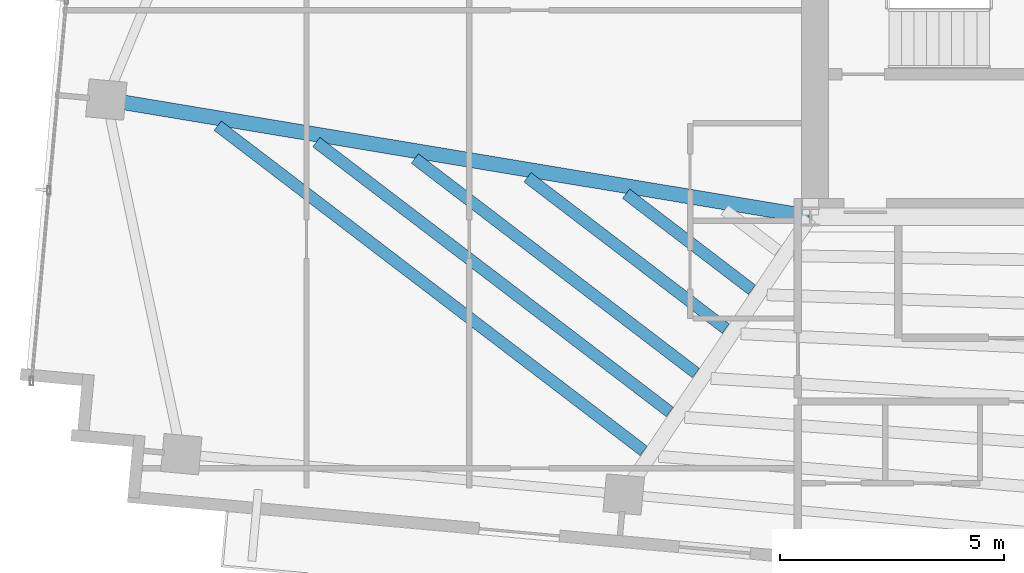
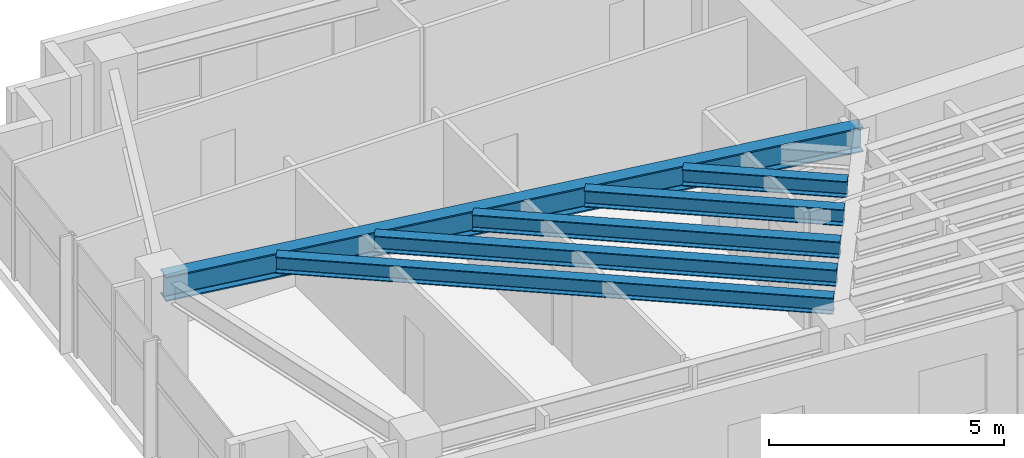
# One storey, part 5 of 22: 6 beams.
"""IFC4 building model written with IfcOpenShell, lengths in metres."""

from ifc_helpers import new_model, si_unit, direction, frame, origin, origin_2d, place, context, subcontext, project, spatial, i_section, extrude, source, transform, mapped, material, material_profile, profile_set, type_object, type_shapes, element, save


model = new_model("IFC4")

# Units and contexts
model_context = context("Model", 3, precision=1e-05, world=origin(), true_north=direction((0.0, 1.0)))
body_context = subcontext(model_context, "Body", "Model", "MODEL_VIEW")
ifc_project = project(units=[si_unit("LENGTHUNIT", "METRE"), si_unit("AREAUNIT", "SQUARE_METRE"), si_unit("VOLUMEUNIT", "CUBIC_METRE"), si_unit("PLANEANGLEUNIT", "RADIAN"), si_unit("MASSUNIT", "GRAM", prefix="KILO")], contexts=[model_context])

# Site, building, storey
site_placement = place(None, origin())
site = spatial("IfcSite", under=ifc_project, at=site_placement, CompositionType="ELEMENT")
building_placement = place(site_placement, origin())
building = spatial("IfcBuilding", under=site, at=building_placement, Name="Astriad Promenade Condominiums", CompositionType="ELEMENT")
storey_placement = place(building_placement, frame((0.0, 0.0, 236.39990234375)))
storey = spatial("IfcBuildingStorey", under=building, at=storey_placement, Name="L68", CompositionType="ELEMENT", Elevation=236.39990234375)

# Beams
ifc_material = material(Name="Steel ASTM A992 Grade 50", Category="steel")
ifc_material_profile_1 = material_profile(ifc_material, i_section(OverallWidth=0.327392578125, OverallDepth=0.640625, WebThickness=0.01904296875, FlangeThickness=0.033935546875, FilletRadius=0.017822265625, at=origin_2d()), Name="W24X176")
ifc_profile_set_1 = profile_set([ifc_material_profile_1], Name="Steel ASTM A992 Grade 50")
beam_type_1 = type_object("IfcBeamType", Name="STEEL FLOOR GIRDER W24X176", PredefinedType="BEAM", material=ifc_profile_set_1)
shared_shape_1 = source(origin(), body_context, "Body", "SweptSolid", [
    extrude(i_section(OverallWidth=0.327392578125, OverallDepth=0.640625, WebThickness=0.01904296875, FlangeThickness=0.033935546875, FilletRadius=0.017822265625, at=origin_2d()), origin(), (0.0, 0.0, 1.0), 15.824462890625),
])
type_shapes(beam_type_1, [shared_shape_1])
beam_1_placement = place(storey_placement, frame((10.750732421875, 20.003662109375, 2.7197265625), z_axis=(0.986439752668, -0.164123777548, 0.0), x_axis=(0.164123777548, 0.986439752668, 0.0)))
element("IfcBeam", 1, at=beam_1_placement, inside=storey, type_object=beam_type_1, Name="Primary Floor Girder PG-WM-L68", PredefinedType="BEAM", context=body_context, shape_type="MappedRepresentation", body=[
    mapped(shared_shape_1, transform((0.0, 0.0, 0.0), scale=1.0)),
])
ifc_material_profile_2 = material_profile(ifc_material, i_section(OverallWidth=0.26318359375, OverallDepth=0.425537109375, WebThickness=0.01318359375, FlangeThickness=0.022216796875, FilletRadius=0.013916015625, at=origin_2d()), Name="W16X89")
ifc_profile_set_2 = profile_set([ifc_material_profile_2], Name="Steel ASTM A992 Grade 50")
beam_type_2 = type_object("IfcBeamType", Name="STEEL FLOOR JOIST W16X89", PredefinedType="JOIST", material=ifc_profile_set_2)
shared_shape_2 = source(origin(), body_context, "Body", "SweptSolid", [
    extrude(i_section(OverallWidth=0.26318359375, OverallDepth=0.425537109375, WebThickness=0.01318359375, FlangeThickness=0.022216796875, FilletRadius=0.013916015625, at=origin_2d()), origin(), (0.0, 0.0, 1.0), 11.941162109375),
])
beam_2_placement = place(storey_placement, frame((13.193603515625, 19.426513671875, 2.827392578125), z_axis=(0.794872876153, -0.606775997182, 0.0), x_axis=(0.606775997182, 0.794872876153, 0.0)))
element("IfcBeam", 2, at=beam_2_placement, inside=storey, type_object=beam_type_2, Name="Secondary Composite Floor Joist JW1-1-L68", PredefinedType="JOIST", context=body_context, shape_type="MappedRepresentation", body=[
    mapped(shared_shape_2, transform((0.0, 0.0, 0.0), scale=1.0)),
])
shared_shape_3 = source(origin(), body_context, "Body", "SweptSolid", [
    extrude(i_section(OverallWidth=0.26318359375, OverallDepth=0.425537109375, WebThickness=0.01318359375, FlangeThickness=0.022216796875, FilletRadius=0.013916015625, at=origin_2d()), origin(), (0.0, 0.0, 1.0), 9.91015625),
])
beam_3_placement = place(storey_placement, frame((15.39013671875, 19.06103515625, 2.827392578125), z_axis=(0.794880580107, -0.606765904916, 0.0), x_axis=(0.606765904916, 0.794880580107, 0.0)))
element("IfcBeam", 3, at=beam_3_placement, inside=storey, type_object=beam_type_2, Name="Secondary Composite Floor Joist JW1-2-L68", PredefinedType="JOIST", context=body_context, shape_type="MappedRepresentation", body=[
    mapped(shared_shape_3, transform((0.0, 0.0, 0.0), scale=1.0)),
])
shared_shape_4 = source(origin(), body_context, "Body", "SweptSolid", [
    extrude(i_section(OverallWidth=0.26318359375, OverallDepth=0.425537109375, WebThickness=0.01318359375, FlangeThickness=0.022216796875, FilletRadius=0.013916015625, at=origin_2d()), origin(), (0.0, 0.0, 1.0), 7.8798828125),
])
beam_4_placement = place(storey_placement, frame((17.58642578125, 18.69580078125, 2.827392578125), z_axis=(0.794873774806, -0.60677481995, 0.0), x_axis=(0.60677481995, 0.794873774806, 0.0)))
element("IfcBeam", 4, at=beam_4_placement, inside=storey, type_object=beam_type_2, Name="Secondary Composite Floor Joist JW1-3-L68", PredefinedType="JOIST", context=body_context, shape_type="MappedRepresentation", body=[
    mapped(shared_shape_4, transform((0.0, 0.0, 0.0), scale=1.0)),
])
shared_shape_5 = source(origin(), body_context, "Body", "SweptSolid", [
    extrude(i_section(OverallWidth=0.26318359375, OverallDepth=0.425537109375, WebThickness=0.01318359375, FlangeThickness=0.022216796875, FilletRadius=0.013916015625, at=origin_2d()), origin(), (0.0, 0.0, 1.0), 5.55908203125),
])
beam_5_placement = place(storey_placement, frame((20.0966796875, 18.278076171875, 2.827392578125), z_axis=(0.794874877878, -0.606773374925, 0.0), x_axis=(0.606773374925, 0.794874877878, 0.0)))
element("IfcBeam", 5, at=beam_5_placement, inside=storey, type_object=beam_type_2, Name="Secondary Composite Floor Joist JW1-4-L68", PredefinedType="JOIST", context=body_context, shape_type="MappedRepresentation", body=[
    mapped(shared_shape_5, transform((0.0, 0.0, 0.0), scale=1.0)),
])
shared_shape_6 = source(origin(), body_context, "Body", "SweptSolid", [
    extrude(i_section(OverallWidth=0.26318359375, OverallDepth=0.425537109375, WebThickness=0.01318359375, FlangeThickness=0.022216796875, FilletRadius=0.013916015625, at=origin_2d()), origin(), (0.0, 0.0, 1.0), 3.5283203125),
])
type_shapes(beam_type_2, [shared_shape_2, shared_shape_3, shared_shape_4, shared_shape_5, shared_shape_6])
beam_6_placement = place(storey_placement, frame((22.293212890625, 17.91259765625, 2.827392578125), z_axis=(0.794864295135, -0.606787238099, 0.0), x_axis=(0.606787238099, 0.794864295135, 0.0)))
element("IfcBeam", 6, at=beam_6_placement, inside=storey, type_object=beam_type_2, Name="Secondary Composite Floor Joist JW1-5-L68", PredefinedType="JOIST", context=body_context, shape_type="MappedRepresentation", body=[
    mapped(shared_shape_6, transform((0.0, 0.0, 0.0), scale=1.0)),
])

save(model, "model.ifc")
